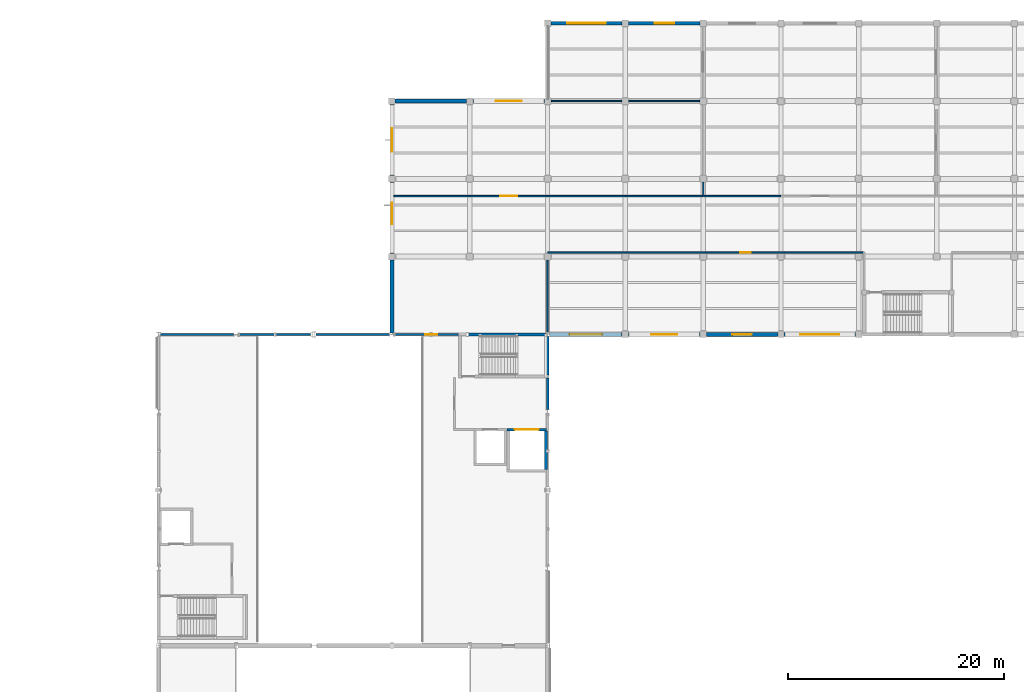
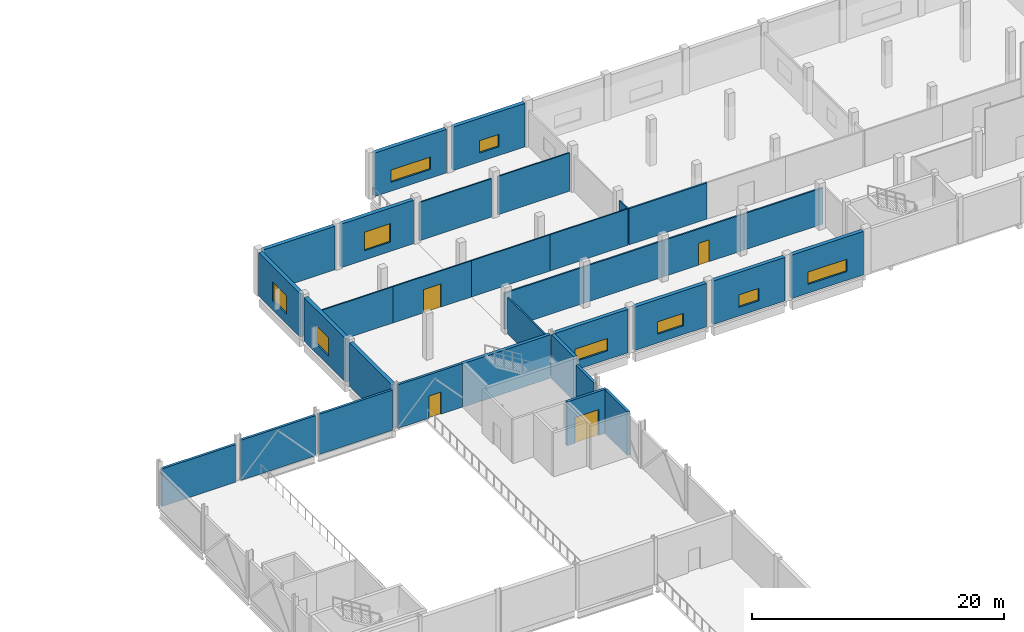
# One storey, part 92 of 105: 33 walls, 9 windows, 4 doors, 13 openings.
"""IFC4 building model written with IfcOpenShell, lengths in metres."""

from ifc_helpers import new_model, si_unit, direction, frame, frame_2d, origin, place, context, subcontext, project, spatial, rectangle, extrude, material, layer, layer_set, type_object, element, fill, save


model = new_model("IFC4")

# Units and contexts
model_context = context("Model", 3, precision=1e-05, world=origin(), true_north=direction((0.0, 1.0)))
body_context = subcontext(model_context, "Body", "Model", "MODEL_VIEW")
ifc_project = project(units=[si_unit("LENGTHUNIT", "METRE"), si_unit("AREAUNIT", "SQUARE_METRE"), si_unit("VOLUMEUNIT", "CUBIC_METRE"), si_unit("PLANEANGLEUNIT", "RADIAN"), si_unit("MASSUNIT", "GRAM", prefix="KILO"), si_unit("THERMODYNAMICTEMPERATUREUNIT", "KELVIN"), si_unit("POWERUNIT", "WATT")], contexts=[model_context])

# Site, building, storey
site_placement = place(None, origin())
site = spatial("IfcSite", under=ifc_project, at=site_placement, CompositionType="ELEMENT")
building_placement = place(site_placement, origin())
building = spatial("IfcBuilding", under=site, at=building_placement, Name="Kaldorven Railside Theatre", CompositionType="ELEMENT")
storey_placement = place(building_placement, frame((0.0, 0.0, 9.89990234375)))
storey = spatial("IfcBuildingStorey", under=building, at=storey_placement, Name="L02", CompositionType="ELEMENT", Elevation=9.89990234375)

# Wall
ifc_material_1 = material(Name="Precast concrete C40/50", Category="concrete")
ifc_layer_1 = layer(ifc_material_1, 0.35009765625, Name="Precast concrete C40/50")
ifc_layer_set_1 = layer_set([ifc_layer_1], Name="Precast concrete C40/50")
wall_type_1 = type_object("IfcWallType", Name="WL-EW03", PredefinedType="SOLIDWALL", material=ifc_layer_set_1)
wall_1_placement = place(storey_placement, frame((108.800048828125, 112.949951171875, 0.0), z_axis=(0.0, 0.0, 1.0), x_axis=(0.0, 1.0, 0.0)))
element("IfcWall", 1, at=wall_1_placement, inside=storey, type_object=wall_type_1, Name="V6L L02 Exterior Wall EW-0351", PredefinedType="SOLIDWALL", context=body_context, shape_type="SweptSolid", body=[
    extrude(rectangle(XDim=6.75, YDim=0.35009765625, at=frame_2d((3.375, 0.0))), origin(), (0.0, 0.0, 1.0), 4.22021484375),
])

# Wall, opening, window
wall_2_placement = place(storey_placement, frame((108.800048828125, 120.300048828125, 0.0), z_axis=(0.0, 0.0, 1.0), x_axis=(0.0, 1.0, 0.0)))
wall_2 = element("IfcWall", 2, at=wall_2_placement, inside=storey, type_object=wall_type_1, Name="V6L L02 Exterior Wall EW-0352", PredefinedType="SOLIDWALL", context=body_context, shape_type="SweptSolid", body=[
    extrude(rectangle(XDim=6.599853515625, YDim=0.35009765625, at=frame_2d((3.2998046875, 0.0))), origin(), (0.0, 0.0, 1.0), 4.22021484375),
])
opening_1_placement = place(wall_2_placement, frame((2.699951171875, 0.0, 0.89990234375)))
opening_1 = element("IfcOpeningElement", 3, at=opening_1_placement, cuts=wall_2, Name="Opening WN-055", PredefinedType="OPENING", context=body_context, shape_type="SweptSolid", body=[
    extrude(rectangle(XDim=2.0, YDim=1.800048828125, at=frame_2d((1.0, 0.89990234375))), frame((0.0, 0.18505859375, 0.0), z_axis=(0.0, -1.0, 0.0), x_axis=(1.0, 0.0, 0.0)), (0.0, 0.0, 1.0), 0.3701171875),
])
ifc_material_2 = material(Name="Low-E laminated solar-control glass", Category="glass")
window_type_1 = type_object("IfcWindowType", Name="WN-EW05", PartitioningType="SINGLE_PANEL", PredefinedType="WINDOW", material=ifc_material_2)
window_1_placement = place(opening_1_placement, origin())
window_1 = element("IfcWindow", 4, at=window_1_placement, inside=storey, type_object=window_type_1, Name="Shaded Acoustic Exterior Window WN-055", OverallHeight=1.800048828125, OverallWidth=2.0, PartitioningType="SINGLE_PANEL", PredefinedType="WINDOW", context=body_context, shape_type="SweptSolid", body=[
    extrude(rectangle(XDim=2.0, YDim=1.800048828125, at=frame_2d((1.0, 0.89990234375))), frame((0.0, 0.030029296875, 0.0), z_axis=(0.0, -1.0, 0.0), x_axis=(1.0, 0.0, 0.0)), (0.0, 0.0, 1.0), 0.06005859375),
])
fill(opening_1, window_1)

wall_3_placement = place(storey_placement, frame((108.800048828125, 127.5, 0.0), z_axis=(0.0, 0.0, 1.0), x_axis=(0.0, 1.0, 0.0)))
wall_3 = element("IfcWall", 5, at=wall_3_placement, inside=storey, type_object=wall_type_1, Name="V6L L02 Exterior Wall EW-0353", PredefinedType="SOLIDWALL", context=body_context, shape_type="SweptSolid", body=[
    extrude(rectangle(XDim=6.60009765625, YDim=0.35009765625, at=frame_2d((3.300048828125, 0.0))), origin(), (0.0, 0.0, 1.0), 4.22021484375),
])
opening_2_placement = place(wall_3_placement, frame((2.199951171875, 0.0, 0.89990234375)))
opening_2 = element("IfcOpeningElement", 6, at=opening_2_placement, cuts=wall_3, Name="Opening WN-056", PredefinedType="OPENING", context=body_context, shape_type="SweptSolid", body=[
    extrude(rectangle(XDim=2.199951171875, YDim=1.800048828125, at=frame_2d((1.10009765625, 0.89990234375))), frame((0.0, 0.18505859375, 0.0), z_axis=(0.0, -1.0, 0.0), x_axis=(1.0, 0.0, 0.0)), (0.0, 0.0, 1.0), 0.3701171875),
])
window_type_2 = type_object("IfcWindowType", Name="WN-EW06", PartitioningType="SINGLE_PANEL", PredefinedType="WINDOW", material=ifc_material_2)
window_2_placement = place(opening_2_placement, origin())
window_2 = element("IfcWindow", 7, at=window_2_placement, inside=storey, type_object=window_type_2, Name="Shaded Acoustic Exterior Window WN-056", OverallHeight=1.800048828125, OverallWidth=2.199951171875, PartitioningType="SINGLE_PANEL", PredefinedType="WINDOW", context=body_context, shape_type="SweptSolid", body=[
    extrude(rectangle(XDim=2.199951171875, YDim=1.800048828125, at=frame_2d((1.10009765625, 0.89990234375))), frame((0.0, 0.030029296875, 0.0), z_axis=(0.0, -1.0, 0.0), x_axis=(1.0, 0.0, 0.0)), (0.0, 0.0, 1.0), 0.06005859375),
])
fill(opening_2, window_2)

# Wall
wall_4_placement = place(storey_placement, frame((109.10009765625, 134.39990234375, 0.0), z_axis=(0.0, 0.0, 1.0), x_axis=(1.0, 0.0, 0.0)))
element("IfcWall", 8, at=wall_4_placement, inside=storey, type_object=wall_type_1, Name="V6L L02 Exterior Wall EW-0354", PredefinedType="SOLIDWALL", context=body_context, shape_type="SweptSolid", body=[
    extrude(rectangle(XDim=6.599853515625, YDim=0.35009765625, at=frame_2d((3.2998046875, 0.0))), origin(), (0.0, 0.0, 1.0), 4.22021484375),
])

# Wall, opening, window
wall_5_placement = place(storey_placement, frame((116.300048828125, 134.39990234375, 0.0), z_axis=(0.0, 0.0, 1.0), x_axis=(1.0, 0.0, 0.0)))
wall_5 = element("IfcWall", 9, at=wall_5_placement, inside=storey, type_object=wall_type_1, Name="V6L L02 Exterior Wall EW-0355", PredefinedType="SOLIDWALL", context=body_context, shape_type="SweptSolid", body=[
    extrude(rectangle(XDim=6.599853515625, YDim=0.35009765625, at=frame_2d((3.2998046875, 0.0))), origin(), (0.0, 0.0, 1.0), 4.22021484375),
])
opening_3_placement = place(wall_5_placement, frame((2.10009765625, 0.0, 0.89990234375)))
opening_3 = element("IfcOpeningElement", 10, at=opening_3_placement, cuts=wall_5, Name="Opening WN-057", PredefinedType="OPENING", context=body_context, shape_type="SweptSolid", body=[
    extrude(rectangle(XDim=2.39990234375, YDim=1.800048828125, at=frame_2d((1.199951171875, 0.89990234375))), frame((0.0, 0.18505859375, 0.0), z_axis=(0.0, -1.0, 0.0), x_axis=(1.0, 0.0, 0.0)), (0.0, 0.0, 1.0), 0.3701171875),
])
window_type_3 = type_object("IfcWindowType", Name="WN-EW07", PartitioningType="SINGLE_PANEL", PredefinedType="WINDOW", material=ifc_material_2)
window_3_placement = place(opening_3_placement, origin())
window_3 = element("IfcWindow", 11, at=window_3_placement, inside=storey, type_object=window_type_3, Name="Shaded Acoustic Exterior Window WN-057", OverallHeight=1.800048828125, OverallWidth=2.39990234375, PartitioningType="SINGLE_PANEL", PredefinedType="WINDOW", context=body_context, shape_type="SweptSolid", body=[
    extrude(rectangle(XDim=2.39990234375, YDim=1.800048828125, at=frame_2d((1.199951171875, 0.89990234375))), frame((0.0, 0.030029296875, 0.0), z_axis=(0.0, -1.0, 0.0), x_axis=(1.0, 0.0, 0.0)), (0.0, 0.0, 1.0), 0.06005859375),
])
fill(opening_3, window_3)

wall_6_placement = place(storey_placement, frame((151.699951171875, 112.800048828125, 0.0), z_axis=(0.0, 0.0, 1.0), x_axis=(-1.0, 0.0, 0.0)))
wall_6 = element("IfcWall", 12, at=wall_6_placement, inside=storey, type_object=wall_type_1, Name="V6 L02 Exterior Wall EW-0416", PredefinedType="SOLIDWALL", context=body_context, shape_type="SweptSolid", body=[
    extrude(rectangle(XDim=6.599853515625, YDim=0.35009765625, at=frame_2d((3.2998046875, 0.0))), origin(), (0.0, 0.0, 1.0), 4.22021484375),
])
opening_4_placement = place(wall_6_placement, frame((1.5, 0.0, 0.85009765625)))
opening_4 = element("IfcOpeningElement", 13, at=opening_4_placement, cuts=wall_6, Name="Opening WN-096", PredefinedType="OPENING", context=body_context, shape_type="SweptSolid", body=[
    extrude(rectangle(XDim=3.60009765625, YDim=1.199951171875, at=frame_2d((1.800048828125, 0.60009765625))), frame((0.0, 0.18505859375, 0.0), z_axis=(0.0, -1.0, 0.0), x_axis=(1.0, 0.0, 0.0)), (0.0, 0.0, 1.0), 0.3701171875),
])
window_type_4 = type_object("IfcWindowType", Name="WN-EW17", PartitioningType="SINGLE_PANEL", PredefinedType="WINDOW", material=ifc_material_2)
window_4_placement = place(opening_4_placement, origin())
window_4 = element("IfcWindow", 14, at=window_4_placement, inside=storey, type_object=window_type_4, Name="Shaded Acoustic Exterior Window WN-096", OverallHeight=1.199951171875, OverallWidth=3.60009765625, PartitioningType="SINGLE_PANEL", PredefinedType="WINDOW", context=body_context, shape_type="SweptSolid", body=[
    extrude(rectangle(XDim=3.60009765625, YDim=1.199951171875, at=frame_2d((1.800048828125, 0.60009765625))), frame((0.0, 0.030029296875, 0.0), z_axis=(0.0, -1.0, 0.0), x_axis=(1.0, 0.0, 0.0)), (0.0, 0.0, 1.0), 0.06005859375),
])
fill(opening_4, window_4)

wall_7_placement = place(storey_placement, frame((144.5, 112.800048828125, 0.0), z_axis=(0.0, 0.0, 1.0), x_axis=(-1.0, 0.0, 0.0)))
wall_7 = element("IfcWall", 15, at=wall_7_placement, inside=storey, type_object=wall_type_1, Name="V6 L02 Exterior Wall EW-0417", PredefinedType="SOLIDWALL", context=body_context, shape_type="SweptSolid", body=[
    extrude(rectangle(XDim=6.60009765625, YDim=0.35009765625, at=frame_2d((3.300048828125, 0.0))), origin(), (0.0, 0.0, 1.0), 4.22021484375),
])
opening_5_placement = place(wall_7_placement, frame((2.39990234375, 0.0, 0.85009765625)))
opening_5 = element("IfcOpeningElement", 16, at=opening_5_placement, cuts=wall_7, Name="Opening WN-097", PredefinedType="OPENING", context=body_context, shape_type="SweptSolid", body=[
    extrude(rectangle(XDim=1.800048828125, YDim=1.199951171875, at=frame_2d((0.89990234375, 0.60009765625))), frame((0.0, 0.18505859375, 0.0), z_axis=(0.0, -1.0, 0.0), x_axis=(1.0, 0.0, 0.0)), (0.0, 0.0, 1.0), 0.3701171875),
])
window_type_5 = type_object("IfcWindowType", Name="WN-EW14", PartitioningType="SINGLE_PANEL", PredefinedType="WINDOW", material=ifc_material_2)
window_5_placement = place(opening_5_placement, origin())
window_5 = element("IfcWindow", 17, at=window_5_placement, inside=storey, type_object=window_type_5, Name="Shaded Acoustic Exterior Window WN-097", OverallHeight=1.199951171875, OverallWidth=1.800048828125, PartitioningType="SINGLE_PANEL", PredefinedType="WINDOW", context=body_context, shape_type="SweptSolid", body=[
    extrude(rectangle(XDim=1.800048828125, YDim=1.199951171875, at=frame_2d((0.89990234375, 0.60009765625))), frame((0.0, 0.030029296875, 0.0), z_axis=(0.0, -1.0, 0.0), x_axis=(1.0, 0.0, 0.0)), (0.0, 0.0, 1.0), 0.06005859375),
])
fill(opening_5, window_5)

wall_8_placement = place(storey_placement, frame((137.300048828125, 112.800048828125, 0.0), z_axis=(0.0, 0.0, 1.0), x_axis=(-1.0, 0.0, 0.0)))
wall_8 = element("IfcWall", 18, at=wall_8_placement, inside=storey, type_object=wall_type_1, Name="V6 L02 Exterior Wall EW-0418", PredefinedType="SOLIDWALL", context=body_context, shape_type="SweptSolid", body=[
    extrude(rectangle(XDim=6.60009765625, YDim=0.35009765625, at=frame_2d((3.300048828125, 0.0))), origin(), (0.0, 0.0, 1.0), 4.22021484375),
])
opening_6_placement = place(wall_8_placement, frame((2.10009765625, 0.0, 0.85009765625)))
opening_6 = element("IfcOpeningElement", 19, at=opening_6_placement, cuts=wall_8, Name="Opening WN-098", PredefinedType="OPENING", context=body_context, shape_type="SweptSolid", body=[
    extrude(rectangle(XDim=2.39990234375, YDim=1.199951171875, at=frame_2d((1.199951171875, 0.60009765625))), frame((0.0, 0.18505859375, 0.0), z_axis=(0.0, -1.0, 0.0), x_axis=(1.0, 0.0, 0.0)), (0.0, 0.0, 1.0), 0.3701171875),
])
window_type_6 = type_object("IfcWindowType", Name="WN-EW15", PartitioningType="SINGLE_PANEL", PredefinedType="WINDOW", material=ifc_material_2)
window_6_placement = place(opening_6_placement, origin())
window_6 = element("IfcWindow", 20, at=window_6_placement, inside=storey, type_object=window_type_6, Name="Shaded Acoustic Exterior Window WN-098", OverallHeight=1.199951171875, OverallWidth=2.39990234375, PartitioningType="SINGLE_PANEL", PredefinedType="WINDOW", context=body_context, shape_type="SweptSolid", body=[
    extrude(rectangle(XDim=2.39990234375, YDim=1.199951171875, at=frame_2d((1.199951171875, 0.60009765625))), frame((0.0, 0.030029296875, 0.0), z_axis=(0.0, -1.0, 0.0), x_axis=(1.0, 0.0, 0.0)), (0.0, 0.0, 1.0), 0.06005859375),
])
fill(opening_6, window_6)

wall_9_placement = place(storey_placement, frame((130.10009765625, 112.800048828125, 0.0), z_axis=(0.0, 0.0, 1.0), x_axis=(-1.0, 0.0, 0.0)))
wall_9 = element("IfcWall", 21, at=wall_9_placement, inside=storey, type_object=wall_type_1, Name="V6 L02 Exterior Wall EW-0419", PredefinedType="SOLIDWALL", context=body_context, shape_type="SweptSolid", body=[
    extrude(rectangle(XDim=6.7138671875, YDim=0.35009765625, at=frame_2d((3.35693359375, 0.0))), origin(), (0.0, 0.0, 1.0), 4.22021484375),
])
opening_7_placement = place(wall_9_placement, frame((1.856689453125, 0.0, 0.85009765625)))
opening_7 = element("IfcOpeningElement", 22, at=opening_7_placement, cuts=wall_9, Name="Opening WN-099", PredefinedType="OPENING", context=body_context, shape_type="SweptSolid", body=[
    extrude(rectangle(XDim=3.0, YDim=1.199951171875, at=frame_2d((1.5, 0.60009765625))), frame((0.0, 0.18505859375, 0.0), z_axis=(0.0, -1.0, 0.0), x_axis=(1.0, 0.0, 0.0)), (0.0, 0.0, 1.0), 0.3701171875),
])
window_type_7 = type_object("IfcWindowType", Name="WN-EW16", PartitioningType="SINGLE_PANEL", PredefinedType="WINDOW", material=ifc_material_2)
window_7_placement = place(opening_7_placement, origin())
window_7 = element("IfcWindow", 23, at=window_7_placement, inside=storey, type_object=window_type_7, Name="Shaded Acoustic Exterior Window WN-099", OverallHeight=1.199951171875, OverallWidth=3.0, PartitioningType="SINGLE_PANEL", PredefinedType="WINDOW", context=body_context, shape_type="SweptSolid", body=[
    extrude(rectangle(XDim=3.0, YDim=1.199951171875, at=frame_2d((1.5, 0.60009765625))), frame((0.0, 0.030029296875, 0.0), z_axis=(0.0, -1.0, 0.0), x_axis=(1.0, 0.0, 0.0)), (0.0, 0.0, 1.0), 0.06005859375),
])
fill(opening_7, window_7)

wall_10_placement = place(storey_placement, frame((123.5, 141.60009765625, 0.0), z_axis=(0.0, 0.0, 1.0), x_axis=(1.0, 0.0, 0.0)))
wall_10 = element("IfcWall", 24, at=wall_10_placement, inside=storey, type_object=wall_type_1, Name="V6 L02 Exterior Wall EW-0420", PredefinedType="SOLIDWALL", context=body_context, shape_type="SweptSolid", body=[
    extrude(rectangle(XDim=6.60009765625, YDim=0.35009765625, at=frame_2d((3.300048828125, 0.0))), origin(), (0.0, 0.0, 1.0), 4.22021484375),
])
opening_8_placement = place(wall_10_placement, frame((1.5, 0.0, 0.85009765625)))
opening_8 = element("IfcOpeningElement", 25, at=opening_8_placement, cuts=wall_10, Name="Opening WN-100", PredefinedType="OPENING", context=body_context, shape_type="SweptSolid", body=[
    extrude(rectangle(XDim=3.60009765625, YDim=1.199951171875, at=frame_2d((1.800048828125, 0.60009765625))), frame((0.0, 0.18505859375, 0.0), z_axis=(0.0, -1.0, 0.0), x_axis=(1.0, 0.0, 0.0)), (0.0, 0.0, 1.0), 0.3701171875),
])
window_8_placement = place(opening_8_placement, origin())
window_8 = element("IfcWindow", 26, at=window_8_placement, inside=storey, type_object=window_type_4, Name="Shaded Acoustic Exterior Window WN-100", OverallHeight=1.199951171875, OverallWidth=3.60009765625, PartitioningType="SINGLE_PANEL", PredefinedType="WINDOW", context=body_context, shape_type="SweptSolid", body=[
    extrude(rectangle(XDim=3.60009765625, YDim=1.199951171875, at=frame_2d((1.800048828125, 0.60009765625))), frame((0.0, 0.030029296875, 0.0), z_axis=(0.0, -1.0, 0.0), x_axis=(1.0, 0.0, 0.0)), (0.0, 0.0, 1.0), 0.06005859375),
])
fill(opening_8, window_8)

wall_11_placement = place(storey_placement, frame((130.699951171875, 141.60009765625, 0.0), z_axis=(0.0, 0.0, 1.0), x_axis=(1.0, 0.0, 0.0)))
wall_11 = element("IfcWall", 27, at=wall_11_placement, inside=storey, type_object=wall_type_1, Name="V6 L02 Exterior Wall EW-0421", PredefinedType="SOLIDWALL", context=body_context, shape_type="SweptSolid", body=[
    extrude(rectangle(XDim=6.60009765625, YDim=0.35009765625, at=frame_2d((3.300048828125, 0.0))), origin(), (0.0, 0.0, 1.0), 4.22021484375),
])
opening_9_placement = place(wall_11_placement, frame((2.39990234375, 0.0, 0.85009765625)))
opening_9 = element("IfcOpeningElement", 28, at=opening_9_placement, cuts=wall_11, Name="Opening WN-101", PredefinedType="OPENING", context=body_context, shape_type="SweptSolid", body=[
    extrude(rectangle(XDim=1.800048828125, YDim=1.199951171875, at=frame_2d((0.89990234375, 0.60009765625))), frame((0.0, 0.18505859375, 0.0), z_axis=(0.0, -1.0, 0.0), x_axis=(1.0, 0.0, 0.0)), (0.0, 0.0, 1.0), 0.3701171875),
])
window_9_placement = place(opening_9_placement, origin())
window_9 = element("IfcWindow", 29, at=window_9_placement, inside=storey, type_object=window_type_5, Name="Shaded Acoustic Exterior Window WN-101", OverallHeight=1.199951171875, OverallWidth=1.800048828125, PartitioningType="SINGLE_PANEL", PredefinedType="WINDOW", context=body_context, shape_type="SweptSolid", body=[
    extrude(rectangle(XDim=1.800048828125, YDim=1.199951171875, at=frame_2d((0.89990234375, 0.60009765625))), frame((0.0, 0.030029296875, 0.0), z_axis=(0.0, -1.0, 0.0), x_axis=(1.0, 0.0, 0.0)), (0.0, 0.0, 1.0), 0.06005859375),
])
fill(opening_9, window_9)

# Walls
ifc_layer_2 = layer(ifc_material_1, 0.219970703125, Name="Precast concrete C40/50")
ifc_layer_set_2 = layer_set([ifc_layer_2], Name="Precast concrete C40/50")
wall_type_2 = type_object("IfcWallType", Name="WL-EW07", PredefinedType="SOLIDWALL", material=ifc_layer_set_2)
wall_12_placement = place(storey_placement, frame((87.38623046875, 112.800048828125, 0.0), z_axis=(0.0, 0.0, 1.0), x_axis=(1.0, 0.0, 0.0)))
element("IfcWall", 30, at=wall_12_placement, inside=storey, type_object=wall_type_2, Name="V2 L02 Exterior Wall EW-0297", PredefinedType="SOLIDWALL", context=body_context, shape_type="SweptSolid", body=[
    extrude(rectangle(XDim=6.763671875, YDim=0.219970703125, at=frame_2d((3.3818359375, 0.0))), origin(), (0.0, 0.0, 1.0), 3.655029296875),
])
for number, where, z_axis, x_axis, name in (
    (31, (94.64990234375, 112.800048828125, 0.0), (0.0, 0.0, 1.0), (1.0, 0.0, 0.0), "V2 L02 Exterior Wall EW-0298"),
    (32, (101.75, 112.800048828125, 0.0), (0.0, 0.0, 1.0), (1.0, 0.0, 0.0), "V2 L02 Exterior Wall EW-0299"),
):
    element("IfcWall", number, at=place(storey_placement, frame(where, z_axis=z_axis, x_axis=x_axis)), inside=storey, type_object=wall_type_2, Name=name, PredefinedType="SOLIDWALL", context=body_context, shape_type="SweptSolid", body=[
        extrude(rectangle(XDim=6.800048828125, YDim=0.219970703125, at=frame_2d((3.39990234375, 0.0))), origin(), (0.0, 0.0, 1.0), 3.89501953125),
    ])

# Wall, opening, door
wall_13_placement = place(storey_placement, frame((109.050048828125, 112.800048828125, 0.0), z_axis=(0.0, 0.0, 1.0), x_axis=(1.0, 0.0, 0.0)))
wall_13 = element("IfcWall", 33, at=wall_13_placement, inside=storey, type_object=wall_type_2, Name="V2 L02 Exterior Wall EW-0300", PredefinedType="SOLIDWALL", context=body_context, shape_type="SweptSolid", body=[
    extrude(rectangle(XDim=5.89990234375, YDim=0.219970703125, at=frame_2d((2.949951171875, 0.0))), origin(), (0.0, 0.0, 1.0), 4.22021484375),
])
opening_10_placement = place(wall_13_placement, frame((2.85009765625, 0.0, 0.0)))
opening_10 = element("IfcOpeningElement", 34, at=opening_10_placement, cuts=wall_13, Name="Opening ID-0082", PredefinedType="OPENING", context=body_context, shape_type="SweptSolid", body=[
    extrude(rectangle(XDim=1.10009765625, YDim=2.14990234375, at=frame_2d((0.550048828125, 1.074951171875))), frame((0.0, 0.1201171875, 0.0), z_axis=(0.0, -1.0, 0.0), x_axis=(1.0, 0.0, 0.0)), (0.0, 0.0, 1.0), 0.239990234375),
])
ifc_material_3 = material(Name="Acoustic hardwood timber", Category="wood")
door_type_1 = type_object("IfcDoorType", Name="DR-ID-FD60", OperationType="NOTDEFINED", PredefinedType="DOOR", material=ifc_material_3)
door_1_placement = place(opening_10_placement, origin())
door_1 = element("IfcDoor", 35, at=door_1_placement, inside=storey, type_object=door_type_1, Name="L02 Stage-to-Backstage Corridor Door", OperationType="SINGLE_SWING_LEFT", OverallHeight=2.14990234375, OverallWidth=1.10009765625, PredefinedType="DOOR", context=body_context, shape_type="SweptSolid", body=[
    extrude(rectangle(XDim=1.10009765625, YDim=2.14990234375, at=frame_2d((0.550048828125, 1.074951171875))), frame((0.0, 0.02490234375, 0.0), z_axis=(0.0, -1.0, 0.0), x_axis=(1.0, 0.0, 0.0)), (0.0, 0.0, 1.0), 0.050048828125),
])
fill(opening_10, door_1)

# Walls
wall_14_placement = place(storey_placement, frame((123.199951171875, 108.75, 0.0), z_axis=(0.0, 0.0, 1.0), x_axis=(0.0, -1.0, 0.0)))
element("IfcWall", 36, at=wall_14_placement, inside=storey, type_object=wall_type_2, Name="V2 L02 Exterior Wall EW-0301", PredefinedType="SOLIDWALL", context=body_context, shape_type="SweptSolid", body=[
    extrude(rectangle(XDim=2.89990234375, YDim=0.219970703125, at=frame_2d((1.449951171875, 0.0))), origin(), (0.0, 0.0, 1.0), 3.614990234375),
])
ifc_material_4 = material(Name="Acoustic gypsum board")
ifc_layer_3 = layer(ifc_material_4, 0.14990234375, Name="Acoustic gypsum board")
ifc_layer_set_3 = layer_set([ifc_layer_3], Name="Acoustic gypsum board")
wall_type_3 = type_object("IfcWallType", Name="WL-IW-AC1", PredefinedType="PARTITIONING", material=ifc_layer_set_3)
wall_15_placement = place(storey_placement, frame((137.662109375, 125.60009765625, 0.0), z_axis=(0.0, 0.0, 1.0), x_axis=(1.0, 0.0, 0.0)))
element("IfcWall", 37, at=wall_15_placement, inside=storey, type_object=wall_type_3, Name="L02 Interior Wall IW-0614", PredefinedType="PARTITIONING", context=body_context, shape_type="SweptSolid", body=[
    extrude(rectangle(XDim=7.137939453125, YDim=0.14990234375, at=frame_2d((3.56884765625, 0.0))), origin(), (0.0, 0.0, 1.0), 3.51513671875),
])
ifc_layer_4 = layer(ifc_material_4, 0.139892578125, Name="Acoustic gypsum board")
ifc_layer_set_4 = layer_set([ifc_layer_4], Name="Acoustic gypsum board")
wall_type_4 = type_object("IfcWallType", Name="WL-IW-AC2", PredefinedType="PARTITIONING", material=ifc_layer_set_4)
wall_16_placement = place(storey_placement, frame((152.427978515625, 120.39990234375, 0.0), z_axis=(0.0, 0.0, 1.0), x_axis=(-1.0, 0.0, 0.0)))
element("IfcWall", 38, at=wall_16_placement, inside=storey, type_object=wall_type_4, Name="L02 Interior Wall IW-0621", PredefinedType="PARTITIONING", context=body_context, shape_type="SweptSolid", body=[
    extrude(rectangle(XDim=7.2529296875, YDim=0.139892578125, at=frame_2d((3.62646484375, 0.0))), origin(), (0.0, 0.0, 1.0), 3.51513671875),
])

# Wall, opening, door
wall_17_placement = place(storey_placement, frame((145.175048828125, 120.39990234375, 0.0), z_axis=(0.0, 0.0, 1.0), x_axis=(-1.0, 0.0, 0.0)))
wall_17 = element("IfcWall", 39, at=wall_17_placement, inside=storey, type_object=wall_type_4, Name="L02 Interior Wall IW-0622", PredefinedType="PARTITIONING", context=body_context, shape_type="SweptSolid", body=[
    extrude(rectangle(XDim=7.324951171875, YDim=0.139892578125, at=frame_2d((3.66259765625, 0.0))), origin(), (0.0, 0.0, 1.0), 3.51513671875),
])
opening_11_placement = place(wall_17_placement, frame((3.172607421875, 0.0, 0.0)))
opening_11 = element("IfcOpeningElement", 40, at=opening_11_placement, cuts=wall_17, Name="Opening ID-0142", PredefinedType="OPENING", context=body_context, shape_type="SweptSolid", body=[
    extrude(rectangle(XDim=0.97998046875, YDim=2.1201171875, at=frame_2d((0.489990234375, 1.06005859375))), frame((0.0, 0.080078125, 0.0), z_axis=(0.0, -1.0, 0.0), x_axis=(1.0, 0.0, 0.0)), (0.0, 0.0, 1.0), 0.159912109375),
])
door_type_2 = type_object("IfcDoorType", Name="DR-ID-DRS1", OperationType="NOTDEFINED", PredefinedType="DOOR", material=ifc_material_3)
door_2_placement = place(opening_11_placement, origin())
door_2 = element("IfcDoor", 41, at=door_2_placement, inside=storey, type_object=door_type_2, Name="Soloist Dressing Suite Entry Door", OperationType="SINGLE_SWING_RIGHT", OverallHeight=2.1201171875, OverallWidth=0.97998046875, PredefinedType="DOOR", context=body_context, shape_type="SweptSolid", body=[
    extrude(rectangle(XDim=0.97998046875, YDim=2.1201171875, at=frame_2d((0.489990234375, 1.06005859375))), frame((0.0, 0.02490234375, 0.0), z_axis=(0.0, -1.0, 0.0), x_axis=(1.0, 0.0, 0.0)), (0.0, 0.0, 1.0), 0.050048828125),
])
fill(opening_11, door_2)

# Walls
wall_18_placement = place(storey_placement, frame((137.85009765625, 120.39990234375, 0.0), z_axis=(0.0, 0.0, 1.0), x_axis=(-1.0, 0.0, 0.0)))
element("IfcWall", 42, at=wall_18_placement, inside=storey, type_object=wall_type_4, Name="L02 Interior Wall IW-0623", PredefinedType="PARTITIONING", context=body_context, shape_type="SweptSolid", body=[
    extrude(rectangle(XDim=7.3251953125, YDim=0.139892578125, at=frame_2d((3.66259765625, 0.0))), origin(), (0.0, 0.0, 1.0), 3.51513671875),
])
wall_19_placement = place(storey_placement, frame((130.52490234375, 120.39990234375, 0.0), z_axis=(0.0, 0.0, 1.0), x_axis=(-1.0, 0.0, 0.0)))
element("IfcWall", 43, at=wall_19_placement, inside=storey, type_object=wall_type_4, Name="L02 Interior Wall IW-0624", PredefinedType="PARTITIONING", context=body_context, shape_type="SweptSolid", body=[
    extrude(rectangle(XDim=7.324951171875, YDim=0.139892578125, at=frame_2d((3.66259765625, 0.0))), origin(), (0.0, 0.0, 1.0), 3.51513671875),
])
wall_20_placement = place(storey_placement, frame((123.199951171875, 119.699951171875, 0.0), z_axis=(0.0, 0.0, 1.0), x_axis=(0.0, -1.0, 0.0)))
element("IfcWall", 44, at=wall_20_placement, inside=storey, type_object=wall_type_4, Name="L02 Interior Wall IW-0625", PredefinedType="PARTITIONING", context=body_context, shape_type="SweptSolid", body=[
    extrude(rectangle(XDim=6.7158203125, YDim=0.139892578125, at=frame_2d((3.35791015625, 0.0))), origin(), (0.0, 0.0, 1.0), 3.51513671875),
])
ifc_material_5 = material(Name="Concrete C40/50", Category="concrete")
ifc_layer_5 = layer(ifc_material_5, 0.300048828125, Name="Concrete C40/50")
ifc_layer_set_5 = layer_set([ifc_layer_5], Name="Concrete C40/50")
wall_type_5 = type_object("IfcWallType", Name="WL-IW-CORE", PredefinedType="SHEAR", material=ifc_layer_set_5)
wall_21_placement = place(storey_placement, frame((114.949951171875, 112.800048828125, 0.0), z_axis=(0.0, 0.0, 1.0), x_axis=(1.0, 0.0, 0.0)))
element("IfcWall", 45, at=wall_21_placement, inside=storey, type_object=wall_type_5, Name="L02 Core Wall CW-0211", PredefinedType="SHEAR", context=body_context, shape_type="SweptSolid", body=[
    extrude(rectangle(XDim=8.063720703125, YDim=0.300048828125, at=frame_2d((4.03173828125, 0.0))), origin(), (0.0, 0.0, 1.0), 4.22021484375),
])
wall_22_placement = place(storey_placement, frame((123.199951171875, 112.615966796875, 0.0), z_axis=(0.0, 0.0, 1.0), x_axis=(0.0, -1.0, 0.0)))
element("IfcWall", 46, at=wall_22_placement, inside=storey, type_object=wall_type_5, Name="L02 Core Wall CW-0212", PredefinedType="SHEAR", context=body_context, shape_type="SweptSolid", body=[
    extrude(rectangle(XDim=3.56396484375, YDim=0.300048828125, at=frame_2d((1.781982421875, 0.0))), origin(), (0.0, 0.0, 1.0), 4.260009765625),
])
ifc_material_6 = material(Name="Fire-rated acoustic gypsum board")
ifc_layer_6 = layer(ifc_material_6, 0.1201171875, Name="Fire-rated acoustic gypsum board")
ifc_layer_set_6 = layer_set([ifc_layer_6], Name="Fire-rated acoustic gypsum board")
wall_type_6 = type_object("IfcWallType", Name="WL-IW-PT1", PredefinedType="PARTITIONING", material=ifc_layer_set_6)
wall_23_placement = place(storey_placement, frame((137.60009765625, 125.60009765625, 0.0), z_axis=(0.0, 0.0, 1.0), x_axis=(0.0, 1.0, 0.0)))
element("IfcWall", 47, at=wall_23_placement, inside=storey, type_object=wall_type_6, Name="L02 Interior Wall IW-0603", PredefinedType="PARTITIONING", context=body_context, shape_type="SweptSolid", body=[
    extrude(rectangle(XDim=1.2998046875, YDim=0.1201171875, at=frame_2d((0.64990234375, 0.0))), origin(), (0.0, 0.0, 1.0), 3.51513671875),
])
for number, where, z_axis, x_axis, name in (
    (48, (137.300048828125, 134.39990234375, 0.0), (0.0, 0.0, 1.0), (-1.0, 0.0, 0.0), "L02 Interior Wall IW-0604"),
    (49, (130.10009765625, 134.39990234375, 0.0), (0.0, 0.0, 1.0), (-1.0, 0.0, 0.0), "L02 Interior Wall IW-0605"),
):
    element("IfcWall", number, at=place(storey_placement, frame(where, z_axis=z_axis, x_axis=x_axis)), inside=storey, type_object=wall_type_6, Name=name, PredefinedType="PARTITIONING", context=body_context, shape_type="SweptSolid", body=[
        extrude(rectangle(XDim=6.60009765625, YDim=0.1201171875, at=frame_2d((3.300048828125, 0.0))), origin(), (0.0, 0.0, 1.0), 3.715087890625),
    ])
wall_24_placement = place(storey_placement, frame((108.97705078125, 125.60009765625, 0.0), z_axis=(0.0, 0.0, 1.0), x_axis=(1.0, 0.0, 0.0)))
element("IfcWall", 50, at=wall_24_placement, inside=storey, type_object=wall_type_6, Name="L02 Interior Wall IW-0606", PredefinedType="PARTITIONING", context=body_context, shape_type="SweptSolid", body=[
    extrude(rectangle(XDim=7.02294921875, YDim=0.1201171875, at=frame_2d((3.511474609375, 0.0))), origin(), (0.0, 0.0, 1.0), 3.51513671875),
])

# Wall, opening, door
wall_25_placement = place(storey_placement, frame((116.0, 125.60009765625, 0.0), z_axis=(0.0, 0.0, 1.0), x_axis=(1.0, 0.0, 0.0)))
wall_25 = element("IfcWall", 51, at=wall_25_placement, inside=storey, type_object=wall_type_6, Name="L02 Interior Wall IW-0607", PredefinedType="PARTITIONING", context=body_context, shape_type="SweptSolid", body=[
    extrude(rectangle(XDim=7.199951171875, YDim=0.1201171875, at=frame_2d((3.60009765625, 0.0))), origin(), (0.0, 0.0, 1.0), 3.51513671875),
])
opening_12_placement = place(wall_25_placement, frame((2.800048828125, 0.0, 0.0)))
opening_12 = element("IfcOpeningElement", 52, at=opening_12_placement, cuts=wall_25, Name="Opening ID-0139", PredefinedType="OPENING", context=body_context, shape_type="SweptSolid", body=[
    extrude(rectangle(XDim=1.60009765625, YDim=2.25, at=frame_2d((0.800048828125, 1.125))), frame((0.0, 0.070068359375, 0.0), z_axis=(0.0, -1.0, 0.0), x_axis=(1.0, 0.0, 0.0)), (0.0, 0.0, 1.0), 0.14013671875),
])
door_type_3 = type_object("IfcDoorType", Name="DR-ID-REH1", OperationType="NOTDEFINED", PredefinedType="DOOR", material=ifc_material_3)
door_3_placement = place(opening_12_placement, origin())
door_3 = element("IfcDoor", 53, at=door_3_placement, inside=storey, type_object=door_type_3, Name="Dressing Room Suites Entry Door", OperationType="DOUBLE_DOOR_SINGLE_SWING", OverallHeight=2.25, OverallWidth=1.60009765625, PredefinedType="DOOR", context=body_context, shape_type="SweptSolid", body=[
    extrude(rectangle(XDim=1.60009765625, YDim=2.25, at=frame_2d((0.800048828125, 1.125))), frame((0.0, 0.02490234375, 0.0), z_axis=(0.0, -1.0, 0.0), x_axis=(1.0, 0.0, 0.0)), (0.0, 0.0, 1.0), 0.050048828125),
])
fill(opening_12, door_3)

# Walls
wall_26_placement = place(storey_placement, frame((123.199951171875, 125.60009765625, 0.0), z_axis=(0.0, 0.0, 1.0), x_axis=(1.0, 0.0, 0.0)))
element("IfcWall", 54, at=wall_26_placement, inside=storey, type_object=wall_type_6, Name="L02 Interior Wall IW-0608", PredefinedType="PARTITIONING", context=body_context, shape_type="SweptSolid", body=[
    extrude(rectangle(XDim=7.199951171875, YDim=0.1201171875, at=frame_2d((3.60009765625, 0.0))), origin(), (0.0, 0.0, 1.0), 3.51513671875),
])
wall_27_placement = place(storey_placement, frame((130.39990234375, 125.60009765625, 0.0), z_axis=(0.0, 0.0, 1.0), x_axis=(1.0, 0.0, 0.0)))
element("IfcWall", 55, at=wall_27_placement, inside=storey, type_object=wall_type_6, Name="L02 Interior Wall IW-0609", PredefinedType="PARTITIONING", context=body_context, shape_type="SweptSolid", body=[
    extrude(rectangle(XDim=7.13818359375, YDim=0.1201171875, at=frame_2d((3.569091796875, 0.0))), origin(), (0.0, 0.0, 1.0), 3.51513671875),
])

# Wall, opening, door
ifc_layer_7 = layer(ifc_material_5, 0.239990234375, Name="Concrete C40/50")
ifc_layer_set_7 = layer_set([ifc_layer_7], Name="Concrete C40/50")
wall_type_7 = type_object("IfcWallType", Name="WL-IW-SHAFT", PredefinedType="SHEAR", material=ifc_layer_set_7)
wall_28_placement = place(storey_placement, frame((119.4599609375, 104.0, 0.0), z_axis=(0.0, 0.0, 1.0), x_axis=(1.0, 0.0, 0.0)))
wall_28 = element("IfcWall", 56, at=wall_28_placement, inside=storey, type_object=wall_type_7, Name="L02 Interior Wall SW-0265", PredefinedType="SHEAR", context=body_context, shape_type="SweptSolid", body=[
    extrude(rectangle(XDim=3.6279296875, YDim=0.239990234375, at=frame_2d((1.81396484375, 0.0))), origin(), (0.0, 0.0, 1.0), 4.260009765625),
])
opening_13_placement = place(wall_28_placement, frame((0.714111328125, 0.0, 0.0)))
opening_13 = element("IfcOpeningElement", 57, at=opening_13_placement, cuts=wall_28, Name="Opening LD-033", PredefinedType="OPENING", context=body_context, shape_type="SweptSolid", body=[
    extrude(rectangle(XDim=2.199951171875, YDim=2.5, at=frame_2d((1.10009765625, 1.25))), frame((0.0, 0.1298828125, 0.0), z_axis=(0.0, -1.0, 0.0), x_axis=(1.0, 0.0, 0.0)), (0.0, 0.0, 1.0), 0.260009765625),
])
ifc_material_7 = material(Name="Powder-coated hollow-metal steel", Category="steel")
door_type_4 = type_object("IfcDoorType", Name="DR-LD-GOODS", OperationType="NOTDEFINED", PredefinedType="DOOR", material=ifc_material_7)
door_4_placement = place(opening_13_placement, origin())
door_4 = element("IfcDoor", 58, at=door_4_placement, inside=storey, type_object=door_type_4, Name="Lift LF-G1 Sliding Landing Door", OperationType="DOUBLE_DOOR_SLIDING", OverallHeight=2.5, OverallWidth=2.199951171875, PredefinedType="DOOR", context=body_context, shape_type="SweptSolid", body=[
    extrude(rectangle(XDim=2.199951171875, YDim=2.5, at=frame_2d((1.10009765625, 1.25))), frame((0.0, 0.02490234375, 0.0), z_axis=(0.0, -1.0, 0.0), x_axis=(1.0, 0.0, 0.0)), (0.0, 0.0, 1.0), 0.050048828125),
])
fill(opening_13, door_4)

# Wall
wall_29_placement = place(storey_placement, frame((123.050048828125, 103.8779296875, 0.0), z_axis=(0.0, 0.0, 1.0), x_axis=(0.0, -1.0, 0.0)))
element("IfcWall", 59, at=wall_29_placement, inside=storey, type_object=wall_type_7, Name="L02 Interior Wall SW-0266", PredefinedType="SHEAR", context=body_context, shape_type="SweptSolid", body=[
    extrude(rectangle(XDim=3.555908203125, YDim=0.239990234375, at=frame_2d((1.77783203125, 0.0))), origin(), (0.0, 0.0, 1.0), 4.260009765625),
])

save(model, "model.ifc")
